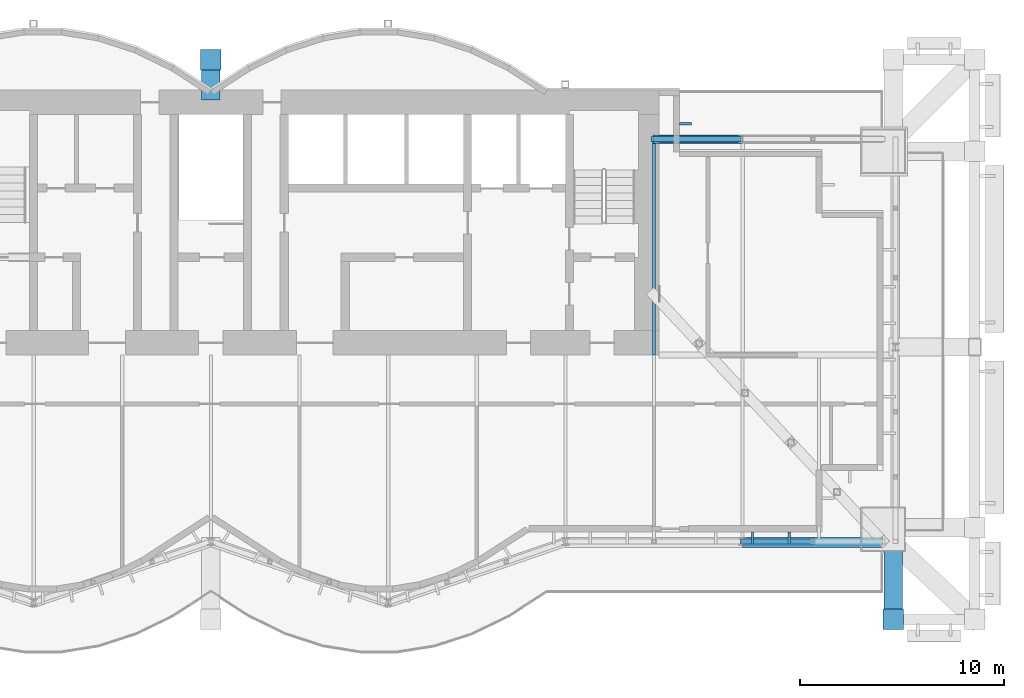
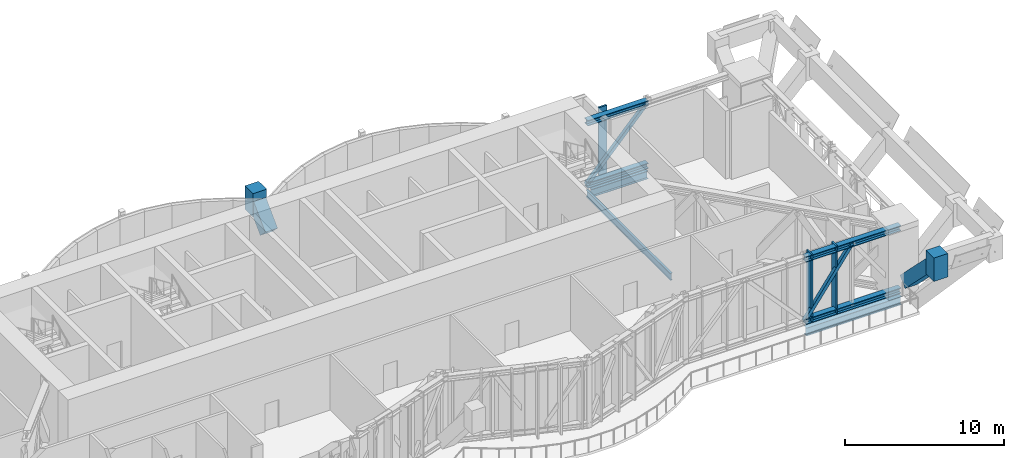
# One storey, part 8 of 20: 13 members, 3 beams, 1 element without a shape of its own.
"""IFC4 building model written with IfcOpenShell, lengths in metres."""

from ifc_helpers import new_model, si_unit, direction, frame, origin, origin_2d, place, context, subcontext, project, spatial, rectangle, hollow_rectangle, i_section, extrude, material, material_profile, profile_set, type_object, element, aggregate, save


model = new_model("IFC4")

# Units and contexts
model_context = context("Model", 3, precision=1e-05, world=origin(), true_north=direction((0.0, 1.0)))
body_context = subcontext(model_context, "Body", "Model", "MODEL_VIEW")
ifc_project = project(units=[si_unit("LENGTHUNIT", "METRE"), si_unit("AREAUNIT", "SQUARE_METRE"), si_unit("VOLUMEUNIT", "CUBIC_METRE"), si_unit("PLANEANGLEUNIT", "RADIAN"), si_unit("MASSUNIT", "GRAM", prefix="KILO")], contexts=[model_context])

# Site, building, storey
site_placement = place(None, origin())
site = spatial("IfcSite", under=ifc_project, at=site_placement, CompositionType="ELEMENT")
building_placement = place(site_placement, origin())
building = spatial("IfcBuilding", under=site, at=building_placement, Name="Bicima Exchange Tower", CompositionType="ELEMENT")
storey_placement = place(building_placement, frame((0.0, 0.0, 342.5)))
storey = spatial("IfcBuildingStorey", under=building, at=storey_placement, Name="L77", CompositionType="ELEMENT", Elevation=342.5)

# Curtain wall, members
ifc_material_1 = material(Name="Anodised bronze aluminium", Category="aluminium")
curtain_wall_type = type_object("IfcCurtainWallType", Name="Band blade screen", PredefinedType="NOTDEFINED", material=ifc_material_1)
curtain_wall_placement = place(storey_placement, origin())
curtain_wall = element("IfcCurtainWall", 1, at=curtain_wall_placement, inside=storey, type_object=curtain_wall_type, Name="Band blade screen L77", PredefinedType="NOTDEFINED")
ifc_material_profile_1 = material_profile(ifc_material_1, rectangle(XDim=0.60009765625, YDim=0.1201171875, at=origin_2d()))
ifc_profile_set_1 = profile_set([ifc_material_profile_1], Name="Anodised bronze aluminium")
member_type_1 = type_object("IfcMemberType", Name="Band blade fin 600 x 120", PredefinedType="USERDEFINED", material=ifc_profile_set_1)
member_1_placement = place(storey_placement, frame((23.300048828125, -1.64990234375, 0.0), z_axis=(0.0, 0.0, 1.0), x_axis=(-1.0, 0.0, 0.0)))
member_1 = element("IfcMember", 2, at=member_1_placement, type_object=member_type_1, Name="Band blade fin 8", ObjectType="FIN", PredefinedType="USERDEFINED", context=body_context, shape_type="SweptSolid", body=[
    extrude(rectangle(XDim=0.60009765625, YDim=0.1201171875, at=origin_2d()), origin(), (0.0, 0.0, 1.0), 5.199951171875),
])
member_2_placement = place(storey_placement, frame((26.587158203125, -21.97607421875, 0.0), z_axis=(0.0, 0.0, 1.0), x_axis=(0.0, 1.0, 0.0)))
member_2 = element("IfcMember", 3, at=member_2_placement, type_object=member_type_1, Name="Band blade fin 49", ObjectType="FIN", PredefinedType="USERDEFINED", context=body_context, shape_type="SweptSolid", body=[
    extrude(rectangle(XDim=0.60009765625, YDim=0.1201171875, at=origin_2d()), origin(), (0.0, 0.0, 1.0), 5.199951171875),
])
member_3_placement = place(storey_placement, frame((28.38720703125, -21.97607421875, 0.0), z_axis=(0.0, 0.0, 1.0), x_axis=(0.0, 1.0, 0.0)))
member_3 = element("IfcMember", 4, at=member_3_placement, type_object=member_type_1, Name="Band blade fin 50", ObjectType="FIN", PredefinedType="USERDEFINED", context=body_context, shape_type="SweptSolid", body=[
    extrude(rectangle(XDim=0.60009765625, YDim=0.1201171875, at=origin_2d()), origin(), (0.0, 0.0, 1.0), 5.199951171875),
])
aggregate(curtain_wall, [member_1, member_2, member_3])

# Members
ifc_material_2 = material(Name="Steel ASTM A992 Gr 50", Category="steel")
ifc_material_profile_2 = material_profile(ifc_material_2, i_section(OverallWidth=0.406494140625, OverallDepth=0.41650390625, WebThickness=0.030029296875, FlangeThickness=0.048095703125, at=origin_2d()))
ifc_profile_set_2 = profile_set([ifc_material_profile_2], Name="Steel ASTM A992 Gr 50")
member_type_2 = type_object("IfcMemberType", Name="Belt truss chord W14x257", PredefinedType="CHORD", material=ifc_profile_set_2)
for number, where, z_axis, x_axis, name in (
    (5, (26.10009765625, -22.154052734375, 4.99169921875), (1.0, 0.0, 0.0), (0.0, 1.0, 0.0), "Top chord"),
    (6, (26.10009765625, -22.154052734375, 0.208251953125), (1.0, 0.0, 0.0), (0.0, 1.0, 0.0), "Bottom chord"),
):
    element("IfcMember", number, at=place(storey_placement, frame(where, z_axis=z_axis, x_axis=x_axis)), inside=storey, type_object=member_type_2, Name=name, PredefinedType="CHORD", context=body_context, shape_type="SweptSolid", body=[
        extrude(i_section(OverallWidth=0.406494140625, OverallDepth=0.41650390625, WebThickness=0.030029296875, FlangeThickness=0.048095703125, at=origin_2d()), origin(), (0.0, 0.0, 1.0), 6.89990234375),
    ])
for number, where, z_axis, x_axis, name in (
    (7, (21.699951171875, -2.39990234375, 4.99169921875), (1.0, 0.0, 0.0), (0.0, 1.0, 0.0), "Top chord"),
    (8, (21.699951171875, -2.39990234375, 0.208251953125), (1.0, 0.0, 0.0), (0.0, 1.0, 0.0), "Bottom chord"),
):
    element("IfcMember", number, at=place(storey_placement, frame(where, z_axis=z_axis, x_axis=x_axis)), inside=storey, type_object=member_type_2, Name=name, PredefinedType="CHORD", context=body_context, shape_type="SweptSolid", body=[
        extrude(i_section(OverallWidth=0.406494140625, OverallDepth=0.41650390625, WebThickness=0.030029296875, FlangeThickness=0.048095703125, at=origin_2d()), origin(), (0.0, 0.0, 1.0), 4.400146484375),
    ])
ifc_material_3 = material(Name="Steel ASTM A572 Gr 50", Category="steel")
ifc_material_profile_3 = material_profile(ifc_material_3, hollow_rectangle(XDim=0.25390625, YDim=0.25390625, WallThickness=0.01171875, at=origin_2d()))
ifc_profile_set_3 = profile_set([ifc_material_profile_3], Name="Steel ASTM A572 Gr 50")
member_type_3 = type_object("IfcMemberType", Name="Belt truss diagonal HSS10x10x1/2", PredefinedType="STRUT", material=ifc_profile_set_3)
member_4_placement = place(storey_placement, frame((26.10009765625, -22.154052734375, 0.208251953125), z_axis=(0.584959927831, 0.0, 0.811062194182), x_axis=(0.0, 1.0, 0.0)))
element("IfcMember", 9, at=member_4_placement, inside=storey, type_object=member_type_3, Name="Truss diagonal", PredefinedType="STRUT", context=body_context, shape_type="SweptSolid", body=[
    extrude(hollow_rectangle(XDim=0.25390625, YDim=0.25390625, WallThickness=0.01171875, at=origin_2d()), origin(), (0.0, 0.0, 1.0), 5.897705078125),
])
member_5_placement = place(storey_placement, frame((21.699951171875, -2.39990234375, 0.208251953125), z_axis=(0.67700444821, 0.0, 0.735978924362), x_axis=(0.0, 1.0, 0.0)))
element("IfcMember", 10, at=member_5_placement, inside=storey, type_object=member_type_3, Name="Truss diagonal", PredefinedType="STRUT", context=body_context, shape_type="SweptSolid", body=[
    extrude(hollow_rectangle(XDim=0.25390625, YDim=0.25390625, WallThickness=0.01171875, at=origin_2d()), origin(), (0.0, 0.0, 1.0), 6.49951171875),
])
ifc_material_4 = material(Name="Cast steel ASTM A216 Gr WCB", Category="steel")
ifc_material_profile_4 = material_profile(ifc_material_4, rectangle(XDim=1.0, YDim=1.0, at=origin_2d()))
ifc_profile_set_4 = profile_set([ifc_material_profile_4], Name="Cast steel ASTM A216 Gr WCB")
member_type_4 = type_object("IfcMemberType", Name="Exo node block", PredefinedType="POST", material=ifc_profile_set_4)
for number, where, z_axis, x_axis, name in (
    (11, (33.5, -25.974853515625, 3.39990234375), (0.0, 0.0, 1.0), (1.0, 0.0, 0.0), "Exo node block"),
    (12, (0.0, 1.5, 3.39990234375), (0.0, 0.0, 1.0), (1.0, 0.0, 0.0), "Exo node block"),
):
    element("IfcMember", number, at=place(storey_placement, frame(where, z_axis=z_axis, x_axis=x_axis)), inside=storey, type_object=member_type_4, Name=name, PredefinedType="POST", context=body_context, shape_type="SweptSolid", body=[
        extrude(rectangle(XDim=1.0, YDim=1.0, at=origin_2d()), origin(), (0.0, 0.0, 1.0), 1.800048828125),
    ])
ifc_material_profile_5 = material_profile(ifc_material_3, hollow_rectangle(XDim=0.89990234375, YDim=0.89990234375, WallThickness=0.050048828125, at=origin_2d()))
ifc_profile_set_5 = profile_set([ifc_material_profile_5], Name="Steel ASTM A572 Gr 50")
member_type_5 = type_object("IfcMemberType", Name="Exo outrigger stub BOX 900x900x50", PredefinedType="STRUT", material=ifc_profile_set_5)
member_6_placement = place(storey_placement, frame((33.5, -22.434814453125, 0.909912109375), z_axis=(0.0, -0.707106781187, 0.707106781187), x_axis=(1.0, 0.0, 0.0)))
element("IfcMember", 13, at=member_6_placement, inside=storey, type_object=member_type_5, Name="Exo outrigger stub", PredefinedType="STRUT", context=body_context, shape_type="SweptSolid", body=[
    extrude(hollow_rectangle(XDim=0.89990234375, YDim=0.89990234375, WallThickness=0.050048828125, at=origin_2d()), origin(), (0.0, 0.0, 1.0), 5.00634765625),
])
member_7_placement = place(storey_placement, frame((0.0, -0.14990234375, 2.800048828125), z_axis=(0.0, 0.707106781187, 0.707106781187), x_axis=(-1.0, 0.0, 0.0)))
element("IfcMember", 14, at=member_7_placement, inside=storey, type_object=member_type_5, Name="Exo outrigger stub", PredefinedType="STRUT", context=body_context, shape_type="SweptSolid", body=[
    extrude(hollow_rectangle(XDim=0.89990234375, YDim=0.89990234375, WallThickness=0.050048828125, at=origin_2d()), origin(), (0.0, 0.0, 1.0), 2.333251953125),
])

# Beams
ifc_material_profile_6 = material_profile(ifc_material_2, i_section(OverallWidth=0.165771484375, OverallDepth=0.5283203125, WebThickness=0.009765625, FlangeThickness=0.013671875, at=origin_2d()))
ifc_profile_set_6 = profile_set([ifc_material_profile_6], Name="Steel ASTM A992 Gr 50")
beam_type_1 = type_object("IfcBeamType", Name="Floor beam W21x50", PredefinedType="JOIST", material=ifc_profile_set_6)
beam_1_placement = place(storey_placement, frame((21.75, -2.39990234375, -0.464111328125), z_axis=(0.0, -1.0, 0.0), x_axis=(1.0, 0.0, 0.0)))
element("IfcBeam", 15, at=beam_1_placement, inside=storey, type_object=beam_type_1, Name="Floor beam", PredefinedType="JOIST", context=body_context, shape_type="SweptSolid", body=[
    extrude(i_section(OverallWidth=0.165771484375, OverallDepth=0.5283203125, WebThickness=0.009765625, FlangeThickness=0.013671875, at=origin_2d()), origin(), (0.0, 0.0, 1.0), 10.60009765625),
])
ifc_material_profile_7 = material_profile(ifc_material_2, i_section(OverallWidth=0.3251953125, OverallDepth=0.612060546875, WebThickness=0.0126953125, FlangeThickness=0.01904296875, at=origin_2d()))
ifc_profile_set_7 = profile_set([ifc_material_profile_7], Name="Steel ASTM A992 Gr 50")
beam_type_2 = type_object("IfcBeamType", Name="Front girder W24x104", PredefinedType="BEAM", material=ifc_profile_set_7)
beam_2_placement = place(storey_placement, frame((26.10009765625, -22.27587890625, -0.506103515625), z_axis=(1.0, 0.0, 0.0), x_axis=(0.0, 1.0, 0.0)))
element("IfcBeam", 16, at=beam_2_placement, inside=storey, type_object=beam_type_2, Name="Front girder", PredefinedType="BEAM", context=body_context, shape_type="SweptSolid", body=[
    extrude(i_section(OverallWidth=0.3251953125, OverallDepth=0.612060546875, WebThickness=0.0126953125, FlangeThickness=0.01904296875, at=origin_2d()), origin(), (0.0, 0.0, 1.0), 6.89990234375),
])
beam_type_3 = type_object("IfcBeamType", Name="Rear girder W24x104", PredefinedType="BEAM", material=ifc_profile_set_7)
beam_3_placement = place(storey_placement, frame((22.0, -2.39990234375, -0.506103515625), z_axis=(1.0, 0.0, 0.0), x_axis=(0.0, 1.0, 0.0)))
element("IfcBeam", 17, at=beam_3_placement, inside=storey, type_object=beam_type_3, Name="Rear girder", PredefinedType="BEAM", context=body_context, shape_type="SweptSolid", body=[
    extrude(i_section(OverallWidth=0.3251953125, OverallDepth=0.612060546875, WebThickness=0.0126953125, FlangeThickness=0.01904296875, at=origin_2d()), origin(), (0.0, 0.0, 1.0), 4.10009765625),
])

save(model, "model.ifc")
